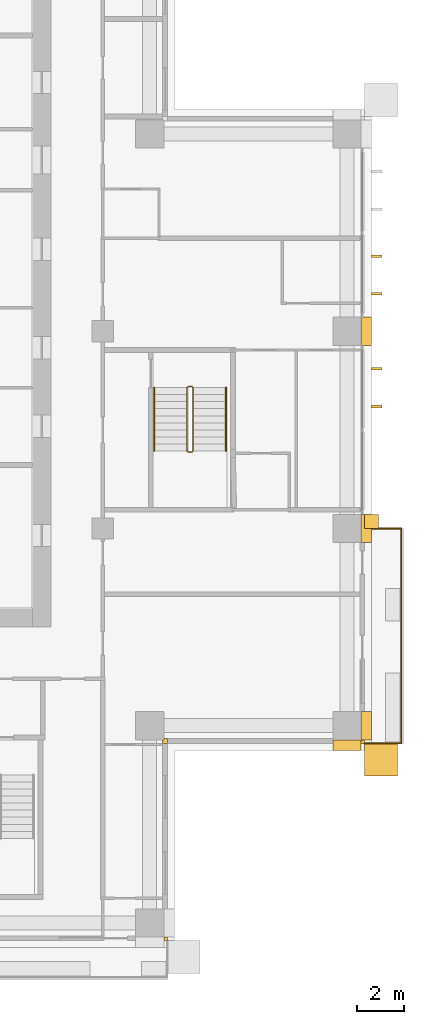
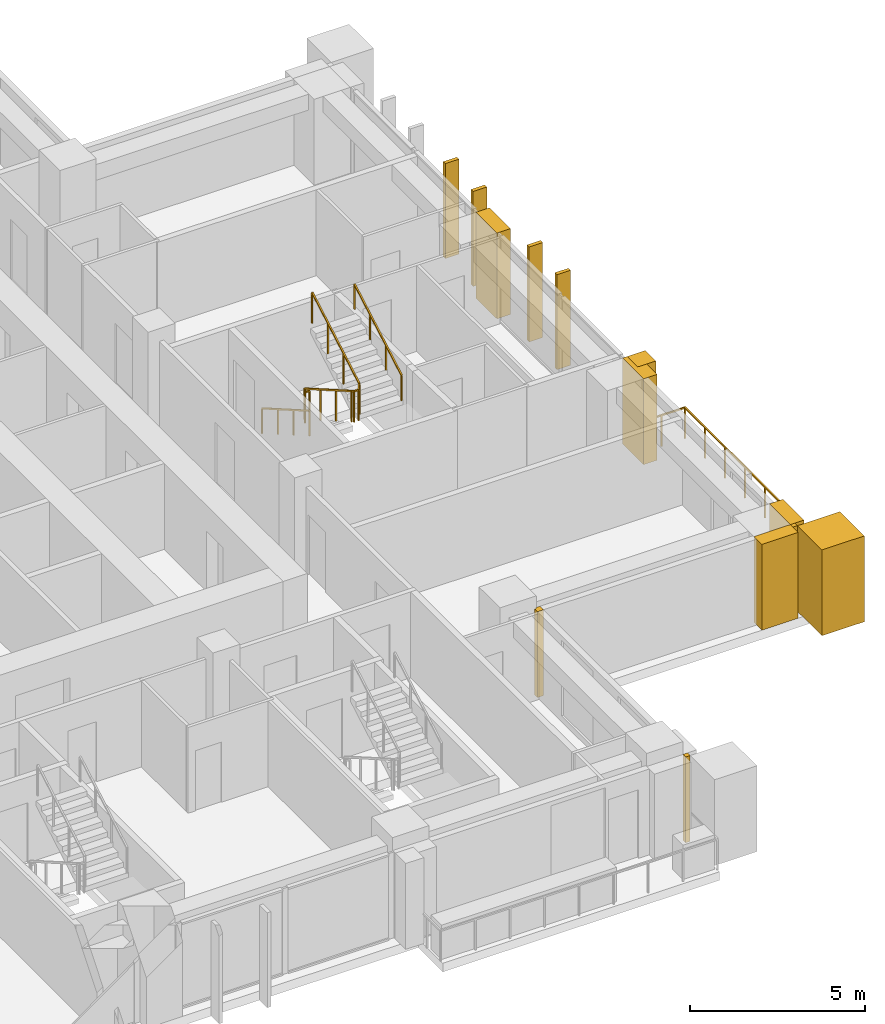
# One storey, part 19 of 21: 13 coverings, 4 railings.
"""IFC4 building model written with IfcOpenShell, lengths in metres."""

from ifc_helpers import new_model, si_unit, direction, frame, origin, origin_2d, place, context, subcontext, project, spatial, polyline, rectangle, outline, extrude, material, layer, layer_set, type_object, element, save


model = new_model("IFC4")

# Units and contexts
model_context = context("Model", 3, precision=1e-05, world=origin(), true_north=direction((0.0, 1.0)))
body_context = subcontext(model_context, "Body", "Model", "MODEL_VIEW")
ifc_project = project(units=[si_unit("LENGTHUNIT", "METRE"), si_unit("AREAUNIT", "SQUARE_METRE"), si_unit("VOLUMEUNIT", "CUBIC_METRE"), si_unit("PLANEANGLEUNIT", "RADIAN"), si_unit("MASSUNIT", "GRAM", prefix="KILO")], contexts=[model_context])

# Site, building, storey
site_placement = place(None, origin())
site = spatial("IfcSite", under=ifc_project, at=site_placement, CompositionType="ELEMENT")
building_placement = place(site_placement, origin())
building = spatial("IfcBuilding", under=site, at=building_placement, Name="Vermilion Ogive Tower", CompositionType="ELEMENT")
storey_placement = place(building_placement, frame((0.0, 0.0, 118.35009765625)))
storey = spatial("IfcBuildingStorey", under=building, at=storey_placement, Name="L30", CompositionType="ELEMENT", Elevation=118.35009765625)

# Railing
ifc_material_1 = material(Name="Stainless steel and glass", Category="steel")
railing_type_1 = type_object("IfcRailingType", Name="Balcony guard", PredefinedType="GUARDRAIL", material=ifc_material_1)
railing_1_placement = place(storey_placement, frame((25.949951171875, -13.35009765625, -0.0400390625)))
element("IfcRailing", 1, at=railing_1_placement, inside=storey, type_object=railing_type_1, Name="Guard E01", PredefinedType="GUARDRAIL", context=body_context, shape_type="SweptSolid", body=[
    extrude(rectangle(XDim=0.048095703125, YDim=0.048095703125, at=origin_2d()), frame((0.0, 0.0, 1.076171875), z_axis=(1.0, 0.0, 0.0), x_axis=(0.0, 1.0, 0.0)), (0.0, 0.0, 1.0), 1.56396484375),
    extrude(rectangle(XDim=0.048095703125, YDim=0.048095703125, at=origin_2d()), frame((1.56396484375, 0.0, 1.076171875), z_axis=(0.0, 1.0, 0.0), x_axis=(-1.0, 0.0, 0.0)), (0.0, 0.0, 1.0), 9.150146484375),
    extrude(rectangle(XDim=0.048095703125, YDim=0.048095703125, at=origin_2d()), frame((1.56396484375, 9.150146484375, 1.076171875), z_axis=(-1.0, 0.0, 0.0), x_axis=(0.0, -1.0, 0.0)), (0.0, 0.0, 1.0), 1.56396484375),
    extrude(rectangle(XDim=0.0419921875, YDim=0.0419921875, at=origin_2d()), origin(), (0.0, 0.0, 1.0), 1.052001953125),
    extrude(rectangle(XDim=0.0419921875, YDim=0.0419921875, at=origin_2d()), frame((0.781982421875, 0.0, 0.0)), (0.0, 0.0, 1.0), 1.052001953125),
    extrude(rectangle(XDim=0.0419921875, YDim=0.0419921875, at=origin_2d()), frame((1.56396484375, 0.0, 0.0)), (0.0, 0.0, 1.0), 1.052001953125),
    extrude(rectangle(XDim=0.0419921875, YDim=0.0419921875, at=origin_2d()), frame((1.56396484375, 1.143798828125, 0.0)), (0.0, 0.0, 1.0), 1.052001953125),
    extrude(rectangle(XDim=0.0419921875, YDim=0.0419921875, at=origin_2d()), frame((1.56396484375, 2.28759765625, 0.0)), (0.0, 0.0, 1.0), 1.052001953125),
    extrude(rectangle(XDim=0.0419921875, YDim=0.0419921875, at=origin_2d()), frame((1.56396484375, 3.431396484375, 0.0)), (0.0, 0.0, 1.0), 1.052001953125),
    extrude(rectangle(XDim=0.0419921875, YDim=0.0419921875, at=origin_2d()), frame((1.56396484375, 4.5751953125, 0.0)), (0.0, 0.0, 1.0), 1.052001953125),
    extrude(rectangle(XDim=0.0419921875, YDim=0.0419921875, at=origin_2d()), frame((1.56396484375, 5.71875, 0.0)), (0.0, 0.0, 1.0), 1.052001953125),
    extrude(rectangle(XDim=0.0419921875, YDim=0.0419921875, at=origin_2d()), frame((1.56396484375, 6.862548828125, 0.0)), (0.0, 0.0, 1.0), 1.052001953125),
    extrude(rectangle(XDim=0.0419921875, YDim=0.0419921875, at=origin_2d()), frame((1.56396484375, 8.00634765625, 0.0)), (0.0, 0.0, 1.0), 1.052001953125),
    extrude(rectangle(XDim=0.0419921875, YDim=0.0419921875, at=origin_2d()), frame((1.56396484375, 9.150146484375, 0.0)), (0.0, 0.0, 1.0), 1.052001953125),
    extrude(rectangle(XDim=0.0419921875, YDim=0.0419921875, at=origin_2d()), frame((0.781982421875, 9.150146484375, 0.0)), (0.0, 0.0, 1.0), 1.052001953125),
    extrude(rectangle(XDim=0.0419921875, YDim=0.0419921875, at=origin_2d()), frame((0.0, 9.150146484375, 0.0)), (0.0, 0.0, 1.0), 1.052001953125),
])

# Coverings
ifc_material_2 = material(Name="Glazed ceramic screen")
ifc_layer = layer(ifc_material_2, 0.14990234375)
ifc_layer_set = layer_set([ifc_layer], Name="Ceramic solar screen fin")
covering_type_1 = type_object("IfcCoveringType", Name="Ceramic solar screen fin", PredefinedType="CLADDING", material=ifc_layer_set)
covering_1_placement = place(storey_placement, frame((0.0, 0.0, -0.320068359375)))
element("IfcCovering", 2, at=covering_1_placement, inside=storey, type_object=covering_type_1, Name="Solar screen blade E001", PredefinedType="CLADDING", context=body_context, shape_type="SweptSolid", body=[
    extrude(outline(polyline([(26.699951171875, 0.93994140625), (26.699951171875, 1.06005859375), (26.25, 1.06005859375), (26.25, 0.93994140625), (26.699951171875, 0.93994140625)])), origin(), (0.0, 0.0, 1.0), 3.320068359375),
])
covering_2_placement = place(storey_placement, frame((0.0, 0.0, -0.320068359375)))
element("IfcCovering", 3, at=covering_2_placement, inside=storey, type_object=covering_type_1, Name="Solar screen blade E002", PredefinedType="CLADDING", context=body_context, shape_type="SweptSolid", body=[
    extrude(outline(polyline([(26.699951171875, 2.5400390625), (26.699951171875, 2.659912109375), (26.25, 2.659912109375), (26.25, 2.5400390625), (26.699951171875, 2.5400390625)])), origin(), (0.0, 0.0, 1.0), 3.320068359375),
])
covering_3_placement = place(storey_placement, frame((0.0, 0.0, -0.320068359375)))
element("IfcCovering", 4, at=covering_3_placement, inside=storey, type_object=covering_type_1, Name="Solar screen blade E011", PredefinedType="CLADDING", context=body_context, shape_type="SweptSolid", body=[
    extrude(outline(polyline([(26.699951171875, 5.739990234375), (26.699951171875, 5.860107421875), (26.25, 5.860107421875), (26.25, 5.739990234375), (26.699951171875, 5.739990234375)])), origin(), (0.0, 0.0, 1.0), 3.320068359375),
])
covering_4_placement = place(storey_placement, frame((0.0, 0.0, -0.320068359375)))
element("IfcCovering", 5, at=covering_4_placement, inside=storey, type_object=covering_type_1, Name="Solar screen blade E012", PredefinedType="CLADDING", context=body_context, shape_type="SweptSolid", body=[
    extrude(outline(polyline([(26.699951171875, 7.340087890625), (26.699951171875, 7.4599609375), (26.25, 7.4599609375), (26.25, 7.340087890625), (26.699951171875, 7.340087890625)])), origin(), (0.0, 0.0, 1.0), 3.320068359375),
])

# Railings
ifc_material_3 = material(Name="Steel S355 painted", Category="steel")
railing_type_2 = type_object("IfcRailingType", Name="Stair guard 1100", PredefinedType="GUARDRAIL", material=ifc_material_3)
railing_2_placement = place(storey_placement, frame((18.60009765625, 1.85009765625, 0.0)))
element("IfcRailing", 6, at=railing_2_placement, inside=storey, type_object=railing_type_2, Name="L30 ST8 stair guard 4", PredefinedType="GUARDRAIL", context=body_context, shape_type="SweptSolid", body=[
    extrude(rectangle(XDim=0.048095703125, YDim=0.048095703125, at=origin_2d()), frame((0.0, 0.0, 1.076171875), z_axis=(-1.0, 0.0, 0.0), x_axis=(0.0, -1.0, 0.0)), (0.0, 0.0, 1.0), 0.150146484375),
    extrude(rectangle(XDim=0.048095703125, YDim=0.048095703125, at=origin_2d()), frame((-0.150146484375, 0.0, 1.076171875), z_axis=(-0.268603158521, -0.268603158521, 0.925043072762), x_axis=(0.707106781187, -0.707106781187, 0.0)), (0.0, 0.0, 1.0), 0.186279296875),
    extrude(rectangle(XDim=0.048095703125, YDim=0.048095703125, at=origin_2d()), frame((-0.2001953125, -0.050048828125, 1.24853515625), z_axis=(0.0, -0.866903762492, 0.498475542607), x_axis=(1.0, 0.0, 0.0)), (0.0, 0.0, 1.0), 3.114501953125),
    extrude(rectangle(XDim=0.048095703125, YDim=0.048095703125, at=origin_2d()), frame((-0.2001953125, -2.75, 2.80078125), z_axis=(0.707106781187, -0.707106781187, 0.0), x_axis=(0.707106781187, 0.707106781187, 0.0)), (0.0, 0.0, 1.0), 0.07080078125),
    extrude(rectangle(XDim=0.048095703125, YDim=0.048095703125, at=origin_2d()), frame((-0.150146484375, -2.800048828125, 2.80078125), z_axis=(1.0, 0.0, 0.0), x_axis=(0.0, 1.0, 0.0)), (0.0, 0.0, 1.0), 0.150146484375),
    extrude(rectangle(XDim=0.048095703125, YDim=0.048095703125, at=origin_2d()), frame((0.0, -2.800048828125, 2.80078125), z_axis=(0.267062837333, 0.268371968888, 0.925556009775), x_axis=(-0.708833529934, 0.705375805398, 0.0)), (0.0, 0.0, 1.0), 0.1865234375),
    extrude(rectangle(XDim=0.048095703125, YDim=0.048095703125, at=origin_2d()), frame((0.0498046875, -2.75, 2.9736328125), z_axis=(0.0, 0.866903762492, 0.498475542607), x_axis=(-1.0, 0.0, 0.0)), (0.0, 0.0, 1.0), 3.114501953125),
    extrude(rectangle(XDim=0.0419921875, YDim=0.0419921875, at=origin_2d()), origin(), (0.0, 0.0, 1.0), 1.052001953125),
    extrude(rectangle(XDim=0.0419921875, YDim=0.0419921875, at=origin_2d()), frame((-0.150146484375, 0.0, 0.0)), (0.0, 0.0, 1.0), 1.052001953125),
    extrude(rectangle(XDim=0.0419921875, YDim=0.0419921875, at=origin_2d()), frame((-0.2001953125, -0.050048828125, 0.17236328125)), (0.0, 0.0, 1.0), 1.052001953125),
    extrude(rectangle(XDim=0.0419921875, YDim=0.0419921875, at=origin_2d()), frame((-0.2001953125, -0.949951171875, 0.68994140625)), (0.0, 0.0, 1.0), 1.052001953125),
    extrude(rectangle(XDim=0.0419921875, YDim=0.0419921875, at=origin_2d()), frame((-0.2001953125, -1.85009765625, 1.207275390625)), (0.0, 0.0, 1.0), 1.052001953125),
    extrude(rectangle(XDim=0.0419921875, YDim=0.0419921875, at=origin_2d()), frame((-0.2001953125, -2.75, 1.724853515625)), (0.0, 0.0, 1.0), 1.052001953125),
    extrude(rectangle(XDim=0.0419921875, YDim=0.0419921875, at=origin_2d()), frame((-0.150146484375, -2.800048828125, 1.724853515625)), (0.0, 0.0, 1.0), 1.052001953125),
    extrude(rectangle(XDim=0.0419921875, YDim=0.0419921875, at=origin_2d()), frame((0.0, -2.800048828125, 1.724853515625)), (0.0, 0.0, 1.0), 1.052001953125),
    extrude(rectangle(XDim=0.0419921875, YDim=0.0419921875, at=origin_2d()), frame((0.0498046875, -2.75, 1.8974609375)), (0.0, 0.0, 1.0), 1.052001953125),
    extrude(rectangle(XDim=0.0419921875, YDim=0.0419921875, at=origin_2d()), frame((0.0498046875, -1.85009765625, 2.4150390625)), (0.0, 0.0, 1.0), 1.052001953125),
    extrude(rectangle(XDim=0.0419921875, YDim=0.0419921875, at=origin_2d()), frame((0.0498046875, -0.949951171875, 2.932373046875)), (0.0, 0.0, 1.0), 1.052001953125),
    extrude(rectangle(XDim=0.0419921875, YDim=0.0419921875, at=origin_2d()), frame((0.0498046875, -0.050048828125, 3.449951171875)), (0.0, 0.0, 1.0), 1.052001953125),
])
ifc_material_4 = material(Name="Stainless steel", Category="steel")
railing_type_3 = type_object("IfcRailingType", Name="Stair handrail 900", PredefinedType="HANDRAIL", material=ifc_material_4)
railing_3_placement = place(storey_placement, frame((17.0, 1.800048828125, 0.17236328125)))
element("IfcRailing", 7, at=railing_3_placement, inside=storey, type_object=railing_type_3, Name="L30 ST8 stair handrail 1", PredefinedType="HANDRAIL", context=body_context, shape_type="SweptSolid", body=[
    extrude(rectangle(XDim=0.048095703125, YDim=0.048095703125, at=origin_2d()), frame((0.0, 0.0, 0.8759765625), z_axis=(0.0, -0.866903762492, 0.498475542607), x_axis=(1.0, 0.0, 0.0)), (0.0, 0.0, 1.0), 3.114501953125),
    extrude(rectangle(XDim=0.0419921875, YDim=0.0419921875, at=origin_2d()), origin(), (0.0, 0.0, 1.0), 0.851806640625),
    extrude(rectangle(XDim=0.0419921875, YDim=0.0419921875, at=origin_2d()), frame((0.0, -0.89990234375, 0.517578125)), (0.0, 0.0, 1.0), 0.851806640625),
    extrude(rectangle(XDim=0.0419921875, YDim=0.0419921875, at=origin_2d()), frame((0.0, -1.800048828125, 1.034912109375)), (0.0, 0.0, 1.0), 0.851806640625),
    extrude(rectangle(XDim=0.0419921875, YDim=0.0419921875, at=origin_2d()), frame((0.0, -2.699951171875, 1.552490234375)), (0.0, 0.0, 1.0), 0.851806640625),
])
railing_4_placement = place(storey_placement, frame((20.050048828125, -0.89990234375, 1.8974609375)))
element("IfcRailing", 8, at=railing_4_placement, inside=storey, type_object=railing_type_3, Name="L30 ST8 stair handrail 2", PredefinedType="HANDRAIL", context=body_context, shape_type="SweptSolid", body=[
    extrude(rectangle(XDim=0.048095703125, YDim=0.048095703125, at=origin_2d()), frame((0.0, 0.0, 0.8759765625), z_axis=(0.0, 0.866903762492, 0.498475542607), x_axis=(-1.0, 0.0, 0.0)), (0.0, 0.0, 1.0), 3.114501953125),
    extrude(rectangle(XDim=0.0419921875, YDim=0.0419921875, at=origin_2d()), origin(), (0.0, 0.0, 1.0), 0.851806640625),
    extrude(rectangle(XDim=0.0419921875, YDim=0.0419921875, at=origin_2d()), frame((0.0, 0.89990234375, 0.517578125)), (0.0, 0.0, 1.0), 0.851806640625),
    extrude(rectangle(XDim=0.0419921875, YDim=0.0419921875, at=origin_2d()), frame((0.0, 1.800048828125, 1.034912109375)), (0.0, 0.0, 1.0), 0.851806640625),
    extrude(rectangle(XDim=0.0419921875, YDim=0.0419921875, at=origin_2d()), frame((0.0, 2.699951171875, 1.552490234375)), (0.0, 0.0, 1.0), 0.851806640625),
])

# Coverings
ifc_material_5 = material(Name="Stone cladding", Category="masonry")
covering_type_2 = type_object("IfcCoveringType", Name="Stone corner buttress", PredefinedType="CLADDING", material=ifc_material_5)
covering_5_placement = place(storey_placement, origin())
element("IfcCovering", 9, at=covering_5_placement, inside=storey, type_object=covering_type_2, Name="Stone crease pier EK", PredefinedType="CLADDING", context=body_context, shape_type="SweptSolid", body=[
    extrude(outline(polyline([(26.550048828125, -4.199951171875), (26.550048828125, -3.60009765625), (25.949951171875, -3.60009765625), (25.949951171875, -4.199951171875), (26.550048828125, -4.199951171875)])), origin(), (0.0, 0.0, 1.0), 3.0),
])
covering_6_placement = place(storey_placement, origin())
element("IfcCovering", 10, at=covering_6_placement, inside=storey, type_object=covering_type_2, Name="Stone corner buttress E1", PredefinedType="CLADDING", context=body_context, shape_type="SweptSolid", body=[
    extrude(outline(polyline([(25.949951171875, -14.75), (25.949951171875, -13.35009765625), (26.25, -13.35009765625), (27.35009765625, -13.35009765625), (27.35009765625, -14.75), (25.949951171875, -14.75)])), origin(), (0.0, 0.0, 1.0), 3.0),
])
ifc_material_6 = material(Name="Stone cladding", Category="masonry")
covering_type_3 = type_object("IfcCoveringType", Name="Stone pier", PredefinedType="CLADDING", material=ifc_material_6)
covering_7_placement = place(storey_placement, origin())
element("IfcCovering", 11, at=covering_7_placement, inside=storey, type_object=covering_type_3, Name="Stone pier P+0252+042", PredefinedType="CLADDING", context=body_context, shape_type="SweptSolid", body=[
    extrude(outline(polyline([(25.800048828125, 4.800048828125), (25.800048828125, 4.800048828125), (26.25, 4.800048828125), (26.25, 3.60009765625), (25.800048828125, 3.60009765625), (25.800048828125, 3.60009765625), (25.800048828125, 4.800048828125)])), origin(), (0.0, 0.0, 1.0), 3.0),
])
covering_8_placement = place(storey_placement, origin())
element("IfcCovering", 12, at=covering_8_placement, inside=storey, type_object=covering_type_3, Name="Stone pier P+0252-042", PredefinedType="CLADDING", context=body_context, shape_type="SweptSolid", body=[
    extrude(outline(polyline([(25.800048828125, -3.60009765625), (25.949951171875, -3.60009765625), (25.949951171875, -4.199951171875), (26.25, -4.199951171875), (26.25, -4.800048828125), (25.800048828125, -4.800048828125), (25.800048828125, -4.800048828125), (25.800048828125, -3.60009765625)])), origin(), (0.0, 0.0, 1.0), 3.0),
])
covering_9_placement = place(storey_placement, origin())
element("IfcCovering", 13, at=covering_9_placement, inside=storey, type_object=covering_type_3, Name="Stone pier P+0252-126X2", PredefinedType="CLADDING", context=body_context, shape_type="SweptSolid", body=[
    extrude(outline(polyline([(25.800048828125, -13.199951171875), (25.800048828125, -13.64990234375), (24.60009765625, -13.64990234375), (24.60009765625, -13.199951171875), (24.60009765625, -13.199951171875), (25.800048828125, -13.199951171875)])), origin(), (0.0, 0.0, 1.0), 3.0),
])
covering_10_placement = place(storey_placement, origin())
element("IfcCovering", 14, at=covering_10_placement, inside=storey, type_object=covering_type_3, Name="Stone pier P+0252-126E", PredefinedType="CLADDING", context=body_context, shape_type="SweptSolid", body=[
    extrude(outline(polyline([(26.25, -13.199951171875), (25.800048828125, -13.199951171875), (25.800048828125, -12.0), (26.25, -12.0), (26.25, -13.199951171875)])), origin(), (0.0, 0.0, 1.0), 3.0),
])
covering_11_placement = place(storey_placement, origin())
element("IfcCovering", 15, at=covering_11_placement, inside=storey, type_object=covering_type_3, Name="Stone corner pier SE1", PredefinedType="CLADDING", context=body_context, shape_type="SweptSolid", body=[
    extrude(outline(polyline([(17.39990234375, -21.75), (17.39990234375, -21.60009765625), (17.39990234375, -21.60009765625), (17.550048828125, -21.60009765625), (17.550048828125, -21.75), (17.39990234375, -21.75)])), origin(), (0.0, 0.0, 1.0), 3.0),
])
covering_12_placement = place(storey_placement, origin())
element("IfcCovering", 16, at=covering_12_placement, inside=storey, type_object=covering_type_3, Name="Stone corner pier X1E1", PredefinedType="CLADDING", context=body_context, shape_type="SweptSolid", body=[
    extrude(outline(polyline([(17.35009765625, -13.199951171875), (17.39990234375, -13.199951171875), (17.39990234375, -13.14990234375), (17.550048828125, -13.14990234375), (17.550048828125, -13.35009765625), (17.35009765625, -13.35009765625), (17.35009765625, -13.199951171875)])), origin(), (0.0, 0.0, 1.0), 3.0),
])
covering_13_placement = place(storey_placement, origin())
element("IfcCovering", 17, at=covering_13_placement, inside=storey, type_object=covering_type_3, Name="Stone corner pier X2E1", PredefinedType="CLADDING", context=body_context, shape_type="SweptSolid", body=[
    extrude(outline(polyline([(25.800048828125, -13.35009765625), (25.800048828125, -13.199951171875), (25.949951171875, -13.199951171875), (25.949951171875, -13.35009765625), (25.800048828125, -13.35009765625)])), origin(), (0.0, 0.0, 1.0), 3.0),
])

save(model, "model.ifc")
